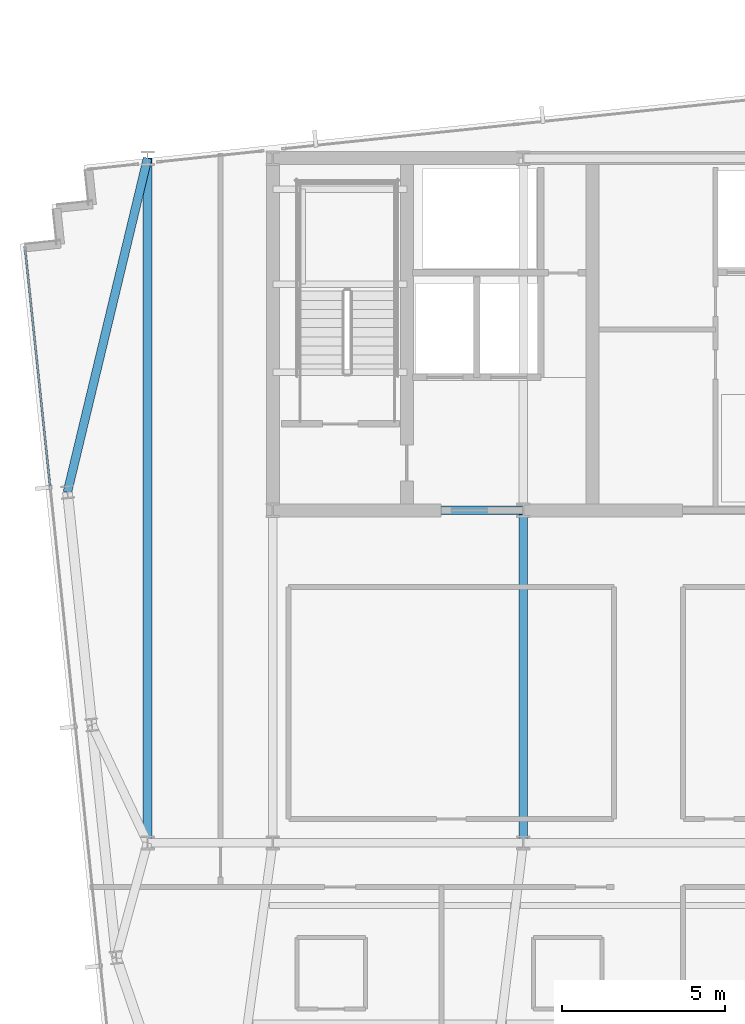
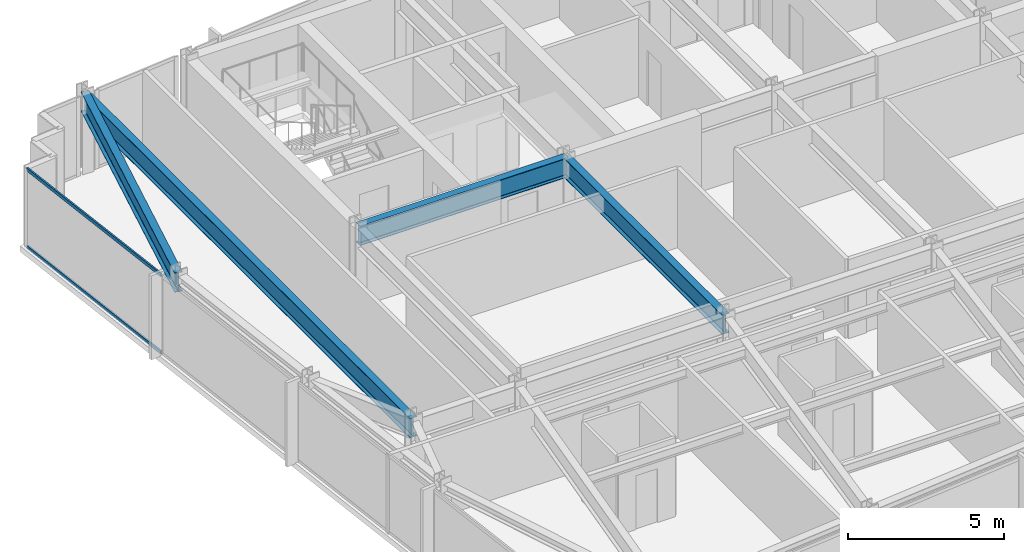
# One storey, part 11 of 33: 4 beams, 2 members, 1 element without a shape of its own.
"""IFC4 building model written with IfcOpenShell, lengths in metres."""

import ifcopenshell
import ifcopenshell.guid

model = None  # the IFC model being written
_history = None  # IfcOwnerHistory: only IFC2X3 demands one
_inside = {}  # id of a spatial element -> (the spatial element, [elements in it])
_under = {}  # id of a project, library or spatial element -> (it, [spatial elements below it])
_declared = {}  # id of a project -> (the project, [libraries it declares])
_typed = {}  # id of a type object -> (the type object, [elements of that type])
_made_of = {}  # id of a material, layer set ... -> (it, [elements and type objects made of it])


def new_model(schema):
    """Start an empty IFC model of exactly this schema.

    Asked for "IFC4X3", IfcOpenShell would pick the latest addendum, in which some entities
    have other attributes; the version numbers below select the first issue.
    IFC2X3 requires an IfcOwnerHistory on every rooted entity: one is made here for all.
    """
    global model, _history
    if schema == "IFC4X3":
        model = ifcopenshell.file(schema_version=(4, 3, 0, 0))
    else:
        model = ifcopenshell.file(schema=schema)
    _inside.clear()
    _under.clear()
    _declared.clear()
    _typed.clear()
    _made_of.clear()
    _history = None
    if model.schema == "IFC2X3":
        org = make("IfcOrganization", Name="unknown")
        user = make(
            "IfcPersonAndOrganization",
            ThePerson=make("IfcPerson", FamilyName="unknown"),
            TheOrganization=org,
        )
        app = make(
            "IfcApplication",
            ApplicationDeveloper=org,
            Version="unknown",
            ApplicationFullName="unknown",
            ApplicationIdentifier="unknown",
        )
        _history = make(
            "IfcOwnerHistory",
            OwningUser=user,
            OwningApplication=app,
            ChangeAction="ADDED",
            CreationDate=0,
        )
    return model


def make(cls, **values):
    """One entity of the class cls with the attributes given. An attribute that is None is left unset."""
    return model.create_entity(
        cls, **{name: value for name, value in values.items() if value is not None}
    )


def rooted(cls, **values):
    """An entity with a GlobalId (a new one), such as an element, a storey or a relation."""
    return make(cls, GlobalId=ifcopenshell.guid.new(), OwnerHistory=_history, **values)


def si_unit(unit_type, name, prefix=None):
    """IfcSIUnit, for example si_unit("LENGTHUNIT", "METRE", prefix="MILLI")."""
    return make("IfcSIUnit", UnitType=unit_type, Prefix=prefix, Name=name)


def assignment(units):
    """IfcUnitAssignment: the units of a project."""
    return None if units is None else make("IfcUnitAssignment", Units=units)


def point(xyz):
    """IfcCartesianPoint."""
    return None if xyz is None else make("IfcCartesianPoint", Coordinates=xyz)


def direction(xyz):
    """IfcDirection."""
    return None if xyz is None else make("IfcDirection", DirectionRatios=xyz)


def frame(location, z_axis=None, x_axis=None):
    """IfcAxis2Placement3D, a coordinate frame: its origin and axes. An axis left out is left unset."""
    return make(
        "IfcAxis2Placement3D",
        Location=point(location),
        Axis=direction(z_axis),
        RefDirection=direction(x_axis),
    )


def frame_2d(location, x_axis=None):
    """IfcAxis2Placement2D, a coordinate frame in the plane: its origin and x axis."""
    return make(
        "IfcAxis2Placement2D", Location=point(location), RefDirection=direction(x_axis)
    )


def origin():
    """The frame at (0, 0, 0) with its axes left unset."""
    return frame((0.0, 0.0, 0.0))


def origin_2d():
    """The frame at (0, 0) in the plane with its x axis left unset."""
    return frame_2d((0.0, 0.0))


def place(relative_to, where):
    """IfcLocalPlacement: puts the frame where relative to a parent placement (None: the world)."""
    return make(
        "IfcLocalPlacement", PlacementRelTo=relative_to, RelativePlacement=where
    )


def context(
    kind, dimensions, precision=None, world=None, true_north=None, identifier=None
):
    """IfcGeometricRepresentationContext, for example the 3D "Model" context."""
    return make(
        "IfcGeometricRepresentationContext",
        ContextIdentifier=identifier,
        ContextType=kind,
        CoordinateSpaceDimension=dimensions,
        Precision=precision,
        WorldCoordinateSystem=world,
        TrueNorth=true_north,
    )


def subcontext(parent, identifier, kind, view, scale=None):
    """IfcGeometricRepresentationSubContext, for example "Body" below "Model"."""
    return make(
        "IfcGeometricRepresentationSubContext",
        ContextIdentifier=identifier,
        ContextType=kind,
        ParentContext=parent,
        TargetScale=scale,
        TargetView=view,
    )


def project(units=None, contexts=None):
    """IfcProject with its units and contexts."""
    return rooted(
        "IfcProject",
        Name="project",
        RepresentationContexts=contexts,
        UnitsInContext=assignment(units),
    )


def spatial(cls, under=None, at=None, **own):
    """A site, building, storey or space (cls), placed at a placement, below another one or the project."""
    s = rooted(cls, ObjectPlacement=at, **own)
    if under is not None:
        _under.setdefault(under.id(), (under, []))[1].append(s)
    return s


def profile(cls, at=None, kind="AREA", **sizes):
    """A parametric profile (cls). Its sizes go by their IFC names, for example OverallWidth=200.0."""
    return make(cls, ProfileType=kind, Position=at, **sizes)


def hollow_rectangle(**sizes):
    """IfcRectangleHollowProfileDef."""
    return profile("IfcRectangleHollowProfileDef", **sizes)


def i_section(**sizes):
    """IfcIShapeProfileDef."""
    return profile("IfcIShapeProfileDef", **sizes)


def extrude(swept, where, along, depth):
    """IfcExtrudedAreaSolid: the profile swept, set in the frame where, extruded along a direction by depth."""
    return make(
        "IfcExtrudedAreaSolid",
        SweptArea=swept,
        Position=where,
        ExtrudedDirection=direction(along),
        Depth=depth,
    )


def shape(context_of_items, identifier, shape_type, items):
    """IfcShapeRepresentation: the items that make up one representation, for example the "Body"."""
    return make(
        "IfcShapeRepresentation",
        ContextOfItems=context_of_items,
        RepresentationIdentifier=identifier,
        RepresentationType=shape_type,
        Items=items,
    )


def material(Name=None, Category=None):
    """IfcMaterial."""
    return make("IfcMaterial", Name=Name, Category=Category)


def material_profile(
    of_material, cross_section, Name=None, Category=None, Priority=None
):
    """IfcMaterialProfile: a cross section and its material."""
    return make(
        "IfcMaterialProfile",
        Name=Name,
        Material=of_material,
        Profile=cross_section,
        Priority=Priority,
        Category=Category,
    )


def profile_set(profiles, Name=None, composite=None):
    """IfcMaterialProfileSet."""
    return make(
        "IfcMaterialProfileSet",
        Name=Name,
        MaterialProfiles=profiles,
        CompositeProfile=composite,
    )


def made_of(thing, what):
    """Note that an element or type object is made of a material, layer set ...; save() writes the relation."""
    if what is not None:
        _made_of.setdefault(what.id(), (what, []))[1].append(thing)
    return thing


def type_object(cls, material=None, **own):
    """A type object (cls), such as IfcWallType, which elements share."""
    return made_of(rooted(cls, **own), material)


def element(
    cls,
    number,
    at=None,
    inside=None,
    cuts=None,
    type_object=None,
    material=None,
    context=None,
    identifier="Body",
    shape_type=None,
    held_by="IfcProductDefinitionShape",
    body=None,
    shapes=None,
    **own,
):
    """One element of the class cls, such as IfcWall. Its Tag is "e" and its number.

    at: its placement. inside: the storey or other place that contains it. cuts: it is an
    opening in that element (IfcRelVoidsElement). A single representation is given by context,
    identifier, shape_type and body (its items); several are given by shapes. held_by: the class
    of the entity that holds the representations. save() writes the other relations.
    """
    e = rooted(cls, Tag="e%d" % number, ObjectPlacement=at, **own)
    if body is not None:
        shapes = [shape(context, identifier, shape_type, body)]
    if shapes is not None:
        e.Representation = make(held_by, Representations=shapes)
    if inside is not None:
        _inside.setdefault(inside.id(), (inside, []))[1].append(e)
    if cuts is not None:
        rooted(
            "IfcRelVoidsElement", RelatingBuildingElement=cuts, RelatedOpeningElement=e
        )
    if type_object is not None:
        _typed.setdefault(type_object.id(), (type_object, []))[1].append(e)
    return made_of(e, material)


def aggregate(whole, parts):
    """IfcRelAggregates: a whole, such as a stair, and the parts it consists of."""
    return rooted("IfcRelAggregates", RelatingObject=whole, RelatedObjects=parts)


def save(model, path):
    """Write the relations noted so far, then the file.

    IfcRelAggregates (storeys below a building ...), IfcRelContainedInSpatialStructure (elements
    in a storey), IfcRelDefinesByType, IfcRelAssociatesMaterial and IfcRelDeclares: one each for
    every whole, place, type object, material and project.
    """
    for whole, parts in _under.values():
        aggregate(whole, parts)
    for where, things in _inside.values():
        rooted(
            "IfcRelContainedInSpatialStructure",
            RelatedElements=things,
            RelatingStructure=where,
        )
    for kind, things in _typed.values():
        rooted("IfcRelDefinesByType", RelatedObjects=things, RelatingType=kind)
    for what, things in _made_of.values():
        rooted("IfcRelAssociatesMaterial", RelatedObjects=things, RelatingMaterial=what)
    for by, libraries in _declared.values():
        rooted("IfcRelDeclares", RelatingContext=by, RelatedDefinitions=libraries)
    model.write(path)


model = new_model("IFC4")

# Units and contexts
model_context = context("Model", 3, precision=1e-05, world=origin(), true_north=direction((0.0, 1.0)))
body_context = subcontext(model_context, "Body", "Model", "MODEL_VIEW")
ifc_project = project(units=[si_unit("LENGTHUNIT", "METRE"), si_unit("AREAUNIT", "SQUARE_METRE"), si_unit("VOLUMEUNIT", "CUBIC_METRE"), si_unit("PLANEANGLEUNIT", "RADIAN"), si_unit("MASSUNIT", "GRAM", prefix="KILO")], contexts=[model_context])

# Site, building, storey
site_placement = place(None, origin())
site = spatial("IfcSite", under=ifc_project, at=site_placement, CompositionType="ELEMENT")
building_placement = place(site_placement, origin())
building = spatial("IfcBuilding", under=site, at=building_placement, Name="Yelkora Congress Tower", CompositionType="ELEMENT")
storey_placement = place(building_placement, frame((0.0, 0.0, 221.0)))
storey = spatial("IfcBuildingStorey", under=building, at=storey_placement, Name="L61", CompositionType="ELEMENT", Elevation=221.0)

# Beams
ifc_material_1 = material(Name="Steel S355J2", Category="steel")
ifc_material_profile_1 = material_profile(ifc_material_1, i_section(OverallWidth=0.26708984375, OverallDepth=0.761962890625, WebThickness=0.014404296875, FlangeThickness=0.021484375, FilletRadius=0.01708984375, at=origin_2d()), Name="IPE 750x173")
ifc_profile_set_1 = profile_set([ifc_material_profile_1], Name="Steel S355J2")
beam_type = type_object("IfcBeamType", Name="BM-GIRD-IPE750", PredefinedType="BEAM", material=ifc_profile_set_1)
beam_1_placement = place(storey_placement, frame((23.0400390625, 35.39990234375, 2.698974609375), z_axis=(1.0, 0.0, 0.0), x_axis=(0.0, 1.0, 0.0)))
element("IfcBeam", 1, at=beam_1_placement, inside=storey, type_object=beam_type, Name="L61 Core South Girder 1", PredefinedType="BEAM", context=body_context, shape_type="SweptSolid", body=[
    extrude(i_section(OverallWidth=0.26708984375, OverallDepth=0.761962890625, WebThickness=0.014404296875, FlangeThickness=0.021484375, FilletRadius=0.01708984375, at=origin_2d()), origin(), (0.0, 0.0, 1.0), 7.679931640625),
])
beam_2_placement = place(storey_placement, frame((30.719970703125, 25.199951171875, 2.698974609375), z_axis=(0.0, 1.0, 0.0), x_axis=(-1.0, 0.0, 0.0)))
element("IfcBeam", 2, at=beam_2_placement, inside=storey, type_object=beam_type, Name="L61 Core Tie Girder MC-D2", PredefinedType="BEAM", context=body_context, shape_type="SweptSolid", body=[
    extrude(i_section(OverallWidth=0.26708984375, OverallDepth=0.761962890625, WebThickness=0.014404296875, FlangeThickness=0.021484375, FilletRadius=0.01708984375, at=origin_2d()), origin(), (0.0, 0.0, 1.0), 10.199951171875),
])
beam_3_placement = place(storey_placement, frame((19.199951171875, 25.199951171875, 2.698974609375), z_axis=(0.0, 1.0, 0.0), x_axis=(-1.0, 0.0, 0.0)))
element("IfcBeam", 3, at=beam_3_placement, inside=storey, type_object=beam_type, Name="L61 Neck Flank Girder MC-F1", PredefinedType="BEAM", context=body_context, shape_type="SweptSolid", body=[
    extrude(i_section(OverallWidth=0.26708984375, OverallDepth=0.761962890625, WebThickness=0.014404296875, FlangeThickness=0.021484375, FilletRadius=0.01708984375, at=origin_2d()), origin(), (0.0, 0.0, 1.0), 21.0),
])
beam_4_placement = place(storey_placement, frame((16.7412109375, 35.95458984375, 2.698974609375), z_axis=(0.233359806768, 0.972390456856, 0.0), x_axis=(-0.972390456856, 0.233359806768, 0.0)))
element("IfcBeam", 4, at=beam_4_placement, inside=storey, type_object=beam_type, Name="L61 Primary Frame Girder W03", PredefinedType="BEAM", context=body_context, shape_type="SweptSolid", body=[
    extrude(i_section(OverallWidth=0.26708984375, OverallDepth=0.761962890625, WebThickness=0.014404296875, FlangeThickness=0.021484375, FilletRadius=0.01708984375, at=origin_2d()), origin(), (0.0, 0.0, 1.0), 10.536376953125),
])

# Curtain wall, members
ifc_material_2 = material(Name="Anodised aluminium and insulated glass", Category="aluminium")
curtain_wall_type = type_object("IfcCurtainWallType", Name="CW-SYS-B4", PredefinedType="NOTDEFINED", material=ifc_material_2)
curtain_wall_placement = place(storey_placement, origin())
curtain_wall = element("IfcCurtainWall", 5, at=curtain_wall_placement, inside=storey, type_object=curtain_wall_type, Name="L61 Unitised Curtain Wall 5", PredefinedType="NOTDEFINED")
ifc_material_3 = material(Name="Anodised aluminium 6063-T6", Category="aluminium")
ifc_material_profile_2 = material_profile(ifc_material_3, hollow_rectangle(XDim=0.06005859375, YDim=0.1298828125, WallThickness=0.00390625, at=origin_2d()), Name="ALU 60x130x4")
ifc_profile_set_2 = profile_set([ifc_material_profile_2], Name="Anodised aluminium 6063-T6")
member_type = type_object("IfcMemberType", Name="MEM-TR-B4", PredefinedType="USERDEFINED", material=ifc_profile_set_2)
member_1_placement = place(storey_placement, frame((16.208984375, 36.137451171875, 0.030029296875), z_axis=(-0.104494567873, 0.994525457334, 0.0), x_axis=(-0.994525457334, -0.104494567873, 0.0)))
member_1 = element("IfcMember", 6, at=member_1_placement, type_object=member_type, Name="CW-B4 transom 4.1", ObjectType="TRANSOM", PredefinedType="USERDEFINED", context=body_context, shape_type="SweptSolid", body=[
    extrude(hollow_rectangle(XDim=0.06005859375, YDim=0.1298828125, WallThickness=0.00390625, at=origin_2d()), origin(), (0.0, 0.0, 1.0), 7.282470703125),
])
member_2_placement = place(storey_placement, frame((16.208984375, 36.137451171875, 3.050048828125), z_axis=(-0.104494567873, 0.994525457334, 0.0), x_axis=(-0.994525457334, -0.104494567873, 0.0)))
member_2 = element("IfcMember", 7, at=member_2_placement, type_object=member_type, Name="CW-B4 transom 4.2", ObjectType="TRANSOM", PredefinedType="USERDEFINED", context=body_context, shape_type="SweptSolid", body=[
    extrude(hollow_rectangle(XDim=0.06005859375, YDim=0.1298828125, WallThickness=0.00390625, at=origin_2d()), origin(), (0.0, 0.0, 1.0), 7.282470703125),
])
aggregate(curtain_wall, [member_1, member_2])

save(model, "model.ifc")
